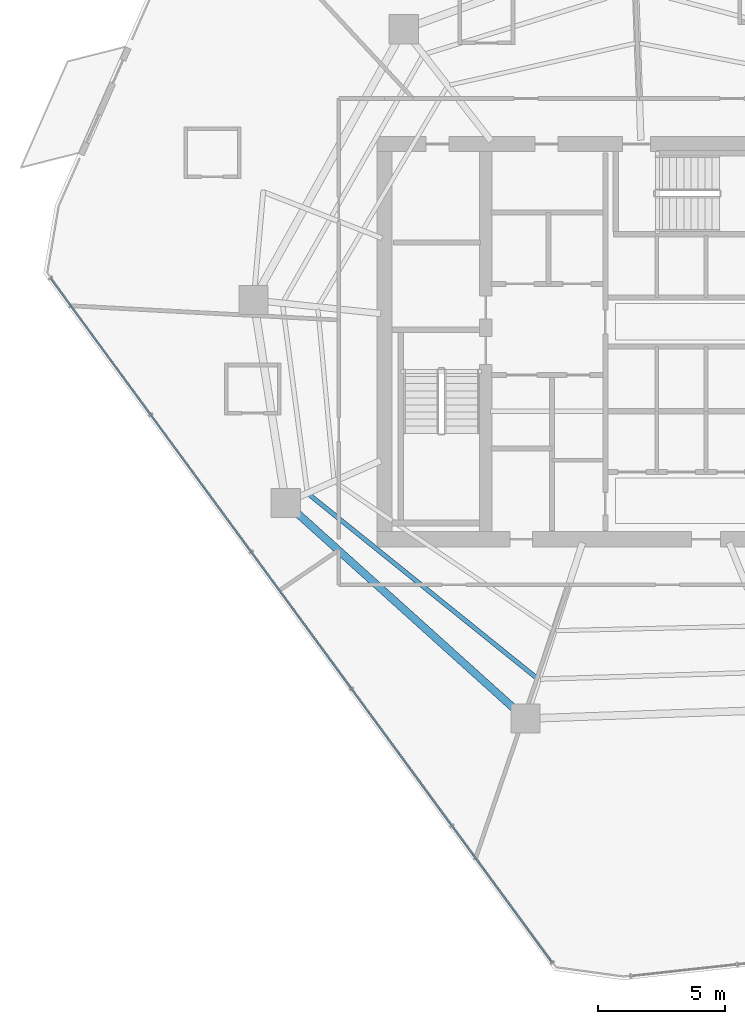
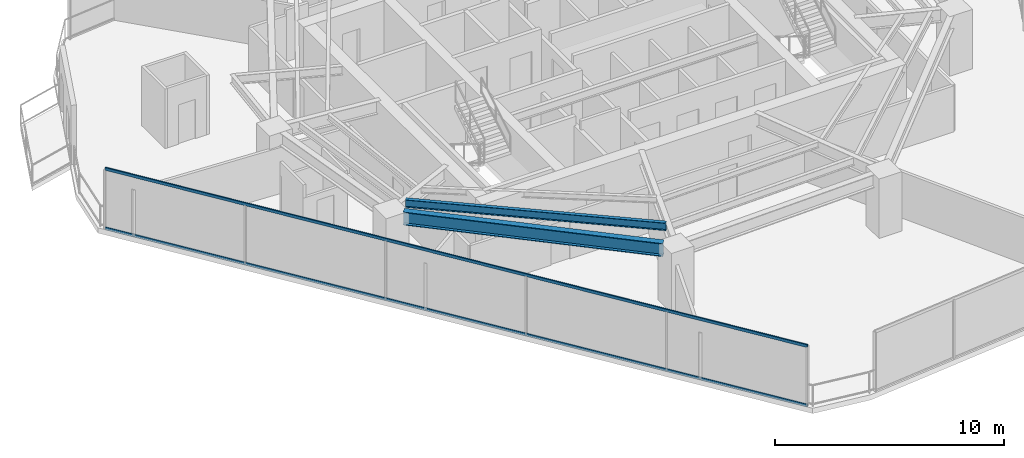
# One storey, part 3 of 30: 2 beams, 2 members, 1 element without a shape of its own.
"""IFC4 building model written with IfcOpenShell, lengths in metres."""

from ifc_helpers import new_model, si_unit, direction, frame, origin, origin_2d, place, context, subcontext, project, spatial, hollow_rectangle, i_section, extrude, material, layer, layer_set, material_profile, profile_set, type_object, element, aggregate, save


model = new_model("IFC4")

# Units and contexts
model_context = context("Model", 3, precision=1e-05, world=origin(), true_north=direction((0.0, 1.0)))
body_context = subcontext(model_context, "Body", "Model", "MODEL_VIEW")
ifc_project = project(units=[si_unit("LENGTHUNIT", "METRE"), si_unit("AREAUNIT", "SQUARE_METRE"), si_unit("VOLUMEUNIT", "CUBIC_METRE"), si_unit("PLANEANGLEUNIT", "RADIAN"), si_unit("MASSUNIT", "GRAM", prefix="KILO")], contexts=[model_context])

# Site, building, storey
site_placement = place(None, origin())
site = spatial("IfcSite", under=ifc_project, at=site_placement, CompositionType="ELEMENT")
building_placement = place(site_placement, origin())
building = spatial("IfcBuilding", under=site, at=building_placement, Name="Qarnah Convention Tower", CompositionType="ELEMENT")
storey_placement = place(building_placement, frame((0.0, 0.0, 90.14990234375)))
storey = spatial("IfcBuildingStorey", under=building, at=storey_placement, Name="L23", CompositionType="ELEMENT", Elevation=90.14990234375)

# Beams
ifc_material_1 = material(Name="Structural steel S355JR", Category="steel")
ifc_material_profile_1 = material_profile(ifc_material_1, i_section(OverallWidth=0.177978515625, OverallDepth=0.407958984375, WebThickness=0.008056640625, FlangeThickness=0.012939453125, at=origin_2d()), Name="W410X60")
ifc_profile_set_1 = profile_set([ifc_material_profile_1], Name="Structural steel S355JR")
beam_type_1 = type_object("IfcBeamType", Name="BM-JST-W410", PredefinedType="JOIST", material=ifc_profile_set_1)
beam_1_placement = place(storey_placement, frame((23.830078125, 20.361083984375, 2.966064453125), z_axis=(0.77852525416, -0.627613279524, 0.0), x_axis=(0.627613279524, 0.77852525416, 0.0)))
element("IfcBeam", 1, at=beam_1_placement, inside=storey, type_object=beam_type_1, Name="L23 joist BM-L23-SJST-06", PredefinedType="JOIST", context=body_context, shape_type="SweptSolid", body=[
    extrude(i_section(OverallWidth=0.177978515625, OverallDepth=0.407958984375, WebThickness=0.008056640625, FlangeThickness=0.012939453125, at=origin_2d()), origin(), (0.0, 0.0, 1.0), 11.521728515625),
])
ifc_material_profile_2 = material_profile(ifc_material_1, i_section(OverallWidth=0.300048828125, OverallDepth=0.699951171875, WebThickness=0.01708984375, FlangeThickness=0.031982421875, at=origin_2d()), Name="HEB700")
ifc_profile_set_2 = profile_set([ifc_material_profile_2], Name="Structural steel S355JR")
beam_type_2 = type_object("IfcBeamType", Name="BM-RING-HEB700", PredefinedType="BEAM", material=ifc_profile_set_2)
beam_2_placement = place(storey_placement, frame((23.322998046875, 19.656982421875, 2.820068359375), z_axis=(0.743124603424, -0.669153064541, 0.0), x_axis=(0.669153064541, 0.743124603424, 0.0)))
element("IfcBeam", 2, at=beam_2_placement, inside=storey, type_object=beam_type_2, Name="L23 beam BM-L23-SPN-06", PredefinedType="BEAM", context=body_context, shape_type="SweptSolid", body=[
    extrude(i_section(OverallWidth=0.300048828125, OverallDepth=0.699951171875, WebThickness=0.01708984375, FlangeThickness=0.031982421875, at=origin_2d()), origin(), (0.0, 0.0, 1.0), 11.60107421875),
])

# Curtain wall, members
ifc_material_2 = material(Name="Tempered Low-E dark glass", Category="glass")
ifc_layer = layer(ifc_material_2, 0.169921875)
ifc_layer_set = layer_set([ifc_layer], Name="Tempered Low-E dark glass")
curtain_wall_type = type_object("IfcCurtainWallType", Name="CWS-02", PredefinedType="NOTDEFINED", material=ifc_layer_set)
curtain_wall_placement = place(storey_placement, origin())
curtain_wall = element("IfcCurtainWall", 3, at=curtain_wall_placement, inside=storey, type_object=curtain_wall_type, Name="L23 unitised curtain wall CW-L23-F3", PredefinedType="NOTDEFINED")
ifc_material_3 = material(Name="Black anodised aluminium", Category="aluminium")
ifc_material_profile_3 = material_profile(ifc_material_3, hollow_rectangle(XDim=0.06494140625, YDim=0.14990234375, WallThickness=0.00390625, at=origin_2d()), Name="TRN-65X150")
ifc_profile_set_3 = profile_set([ifc_material_profile_3], Name="Black anodised aluminium")
member_type = type_object("IfcMemberType", Name="TRN-T2", PredefinedType="USERDEFINED", material=ifc_profile_set_3)
member_1_placement = place(storey_placement, frame((33.428955078125, 1.882080078125, 0.0), z_axis=(-0.591160586145, 0.806553880028, 0.0), x_axis=(-0.806553880028, -0.591160586145, 0.0)))
member_1 = element("IfcMember", 4, at=member_1_placement, type_object=member_type, Name="CW-L23-F3 transom 1", ObjectType="TRANSOM", PredefinedType="USERDEFINED", context=body_context, shape_type="SweptSolid", body=[
    extrude(hollow_rectangle(XDim=0.06494140625, YDim=0.14990234375, WallThickness=0.00390625, at=origin_2d()), origin(), (0.0, 0.0, 1.0), 33.515380859375),
])
member_2_placement = place(storey_placement, frame((33.428955078125, 1.882080078125, 3.170166015625), z_axis=(-0.591160586145, 0.806553880028, 0.0), x_axis=(-0.806553880028, -0.591160586145, 0.0)))
member_2 = element("IfcMember", 5, at=member_2_placement, type_object=member_type, Name="CW-L23-F3 transom 2", ObjectType="TRANSOM", PredefinedType="USERDEFINED", context=body_context, shape_type="SweptSolid", body=[
    extrude(hollow_rectangle(XDim=0.06494140625, YDim=0.14990234375, WallThickness=0.00390625, at=origin_2d()), origin(), (0.0, 0.0, 1.0), 33.515380859375),
])
aggregate(curtain_wall, [member_1, member_2])

save(model, "model.ifc")
